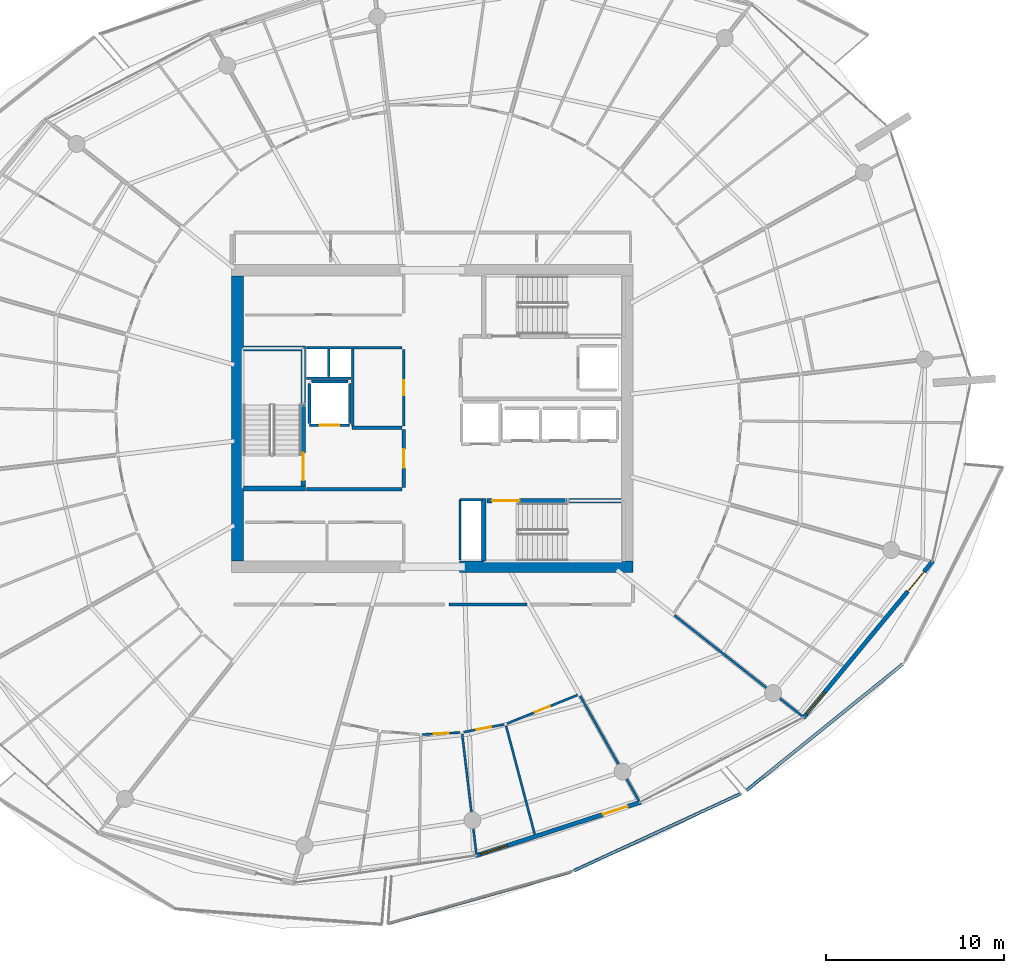
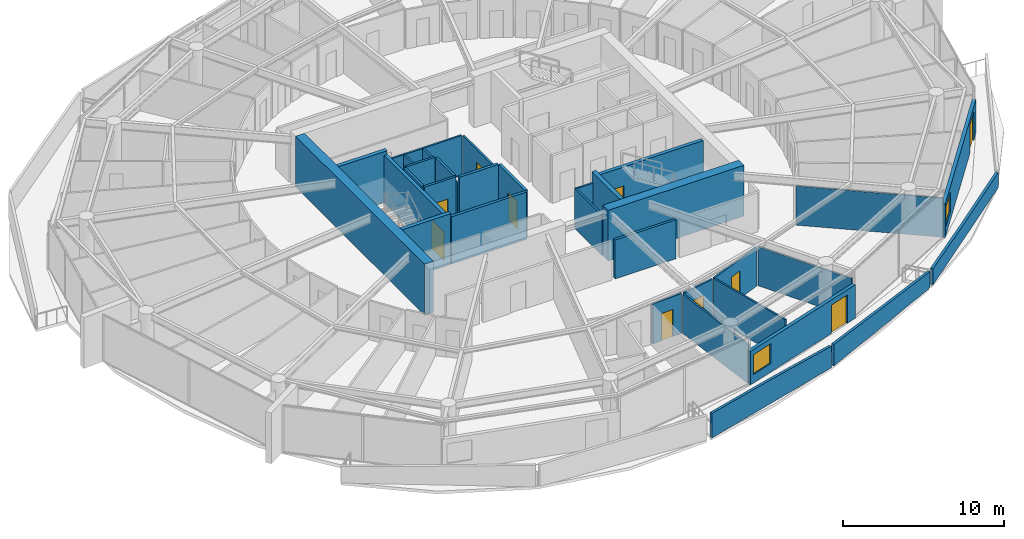
# One storey, part 19 of 30: 34 walls, 10 doors, 2 windows, 12 openings.
"""IFC4 building model written with IfcOpenShell, lengths in metres."""

import ifcopenshell
import ifcopenshell.guid

model = None  # the IFC model being written
_history = None  # IfcOwnerHistory: only IFC2X3 demands one
_inside = {}  # id of a spatial element -> (the spatial element, [elements in it])
_under = {}  # id of a project, library or spatial element -> (it, [spatial elements below it])
_declared = {}  # id of a project -> (the project, [libraries it declares])
_typed = {}  # id of a type object -> (the type object, [elements of that type])
_made_of = {}  # id of a material, layer set ... -> (it, [elements and type objects made of it])


def new_model(schema):
    """Start an empty IFC model of exactly this schema.

    Asked for "IFC4X3", IfcOpenShell would pick the latest addendum, in which some entities
    have other attributes; the version numbers below select the first issue.
    IFC2X3 requires an IfcOwnerHistory on every rooted entity: one is made here for all.
    """
    global model, _history
    if schema == "IFC4X3":
        model = ifcopenshell.file(schema_version=(4, 3, 0, 0))
    else:
        model = ifcopenshell.file(schema=schema)
    _inside.clear()
    _under.clear()
    _declared.clear()
    _typed.clear()
    _made_of.clear()
    _history = None
    if model.schema == "IFC2X3":
        org = make("IfcOrganization", Name="unknown")
        user = make(
            "IfcPersonAndOrganization",
            ThePerson=make("IfcPerson", FamilyName="unknown"),
            TheOrganization=org,
        )
        app = make(
            "IfcApplication",
            ApplicationDeveloper=org,
            Version="unknown",
            ApplicationFullName="unknown",
            ApplicationIdentifier="unknown",
        )
        _history = make(
            "IfcOwnerHistory",
            OwningUser=user,
            OwningApplication=app,
            ChangeAction="ADDED",
            CreationDate=0,
        )
    return model


def make(cls, **values):
    """One entity of the class cls with the attributes given. An attribute that is None is left unset."""
    return model.create_entity(
        cls, **{name: value for name, value in values.items() if value is not None}
    )


def rooted(cls, **values):
    """An entity with a GlobalId (a new one), such as an element, a storey or a relation."""
    return make(cls, GlobalId=ifcopenshell.guid.new(), OwnerHistory=_history, **values)


def si_unit(unit_type, name, prefix=None):
    """IfcSIUnit, for example si_unit("LENGTHUNIT", "METRE", prefix="MILLI")."""
    return make("IfcSIUnit", UnitType=unit_type, Prefix=prefix, Name=name)


def assignment(units):
    """IfcUnitAssignment: the units of a project."""
    return None if units is None else make("IfcUnitAssignment", Units=units)


def point(xyz):
    """IfcCartesianPoint."""
    return None if xyz is None else make("IfcCartesianPoint", Coordinates=xyz)


def direction(xyz):
    """IfcDirection."""
    return None if xyz is None else make("IfcDirection", DirectionRatios=xyz)


def frame(location, z_axis=None, x_axis=None):
    """IfcAxis2Placement3D, a coordinate frame: its origin and axes. An axis left out is left unset."""
    return make(
        "IfcAxis2Placement3D",
        Location=point(location),
        Axis=direction(z_axis),
        RefDirection=direction(x_axis),
    )


def frame_2d(location, x_axis=None):
    """IfcAxis2Placement2D, a coordinate frame in the plane: its origin and x axis."""
    return make(
        "IfcAxis2Placement2D", Location=point(location), RefDirection=direction(x_axis)
    )


def origin():
    """The frame at (0, 0, 0) with its axes left unset."""
    return frame((0.0, 0.0, 0.0))


def place(relative_to, where):
    """IfcLocalPlacement: puts the frame where relative to a parent placement (None: the world)."""
    return make(
        "IfcLocalPlacement", PlacementRelTo=relative_to, RelativePlacement=where
    )


def context(
    kind, dimensions, precision=None, world=None, true_north=None, identifier=None
):
    """IfcGeometricRepresentationContext, for example the 3D "Model" context."""
    return make(
        "IfcGeometricRepresentationContext",
        ContextIdentifier=identifier,
        ContextType=kind,
        CoordinateSpaceDimension=dimensions,
        Precision=precision,
        WorldCoordinateSystem=world,
        TrueNorth=true_north,
    )


def subcontext(parent, identifier, kind, view, scale=None):
    """IfcGeometricRepresentationSubContext, for example "Body" below "Model"."""
    return make(
        "IfcGeometricRepresentationSubContext",
        ContextIdentifier=identifier,
        ContextType=kind,
        ParentContext=parent,
        TargetScale=scale,
        TargetView=view,
    )


def project(units=None, contexts=None):
    """IfcProject with its units and contexts."""
    return rooted(
        "IfcProject",
        Name="project",
        RepresentationContexts=contexts,
        UnitsInContext=assignment(units),
    )


def spatial(cls, under=None, at=None, **own):
    """A site, building, storey or space (cls), placed at a placement, below another one or the project."""
    s = rooted(cls, ObjectPlacement=at, **own)
    if under is not None:
        _under.setdefault(under.id(), (under, []))[1].append(s)
    return s


def polyline(points):
    """IfcPolyline through the points."""
    return make("IfcPolyline", Points=[point(p) for p in points])


def profile(cls, at=None, kind="AREA", **sizes):
    """A parametric profile (cls). Its sizes go by their IFC names, for example OverallWidth=200.0."""
    return make(cls, ProfileType=kind, Position=at, **sizes)


def rectangle(**sizes):
    """IfcRectangleProfileDef."""
    return profile("IfcRectangleProfileDef", **sizes)


def outline(outer, holes=None, kind="AREA"):
    """IfcArbitraryClosedProfileDef: a profile drawn as a closed curve; with holes, ...WithVoids."""
    if holes is None:
        return make("IfcArbitraryClosedProfileDef", ProfileType=kind, OuterCurve=outer)
    return make(
        "IfcArbitraryProfileDefWithVoids",
        ProfileType=kind,
        OuterCurve=outer,
        InnerCurves=holes,
    )


def extrude(swept, where, along, depth):
    """IfcExtrudedAreaSolid: the profile swept, set in the frame where, extruded along a direction by depth."""
    return make(
        "IfcExtrudedAreaSolid",
        SweptArea=swept,
        Position=where,
        ExtrudedDirection=direction(along),
        Depth=depth,
    )


def shape(context_of_items, identifier, shape_type, items):
    """IfcShapeRepresentation: the items that make up one representation, for example the "Body"."""
    return make(
        "IfcShapeRepresentation",
        ContextOfItems=context_of_items,
        RepresentationIdentifier=identifier,
        RepresentationType=shape_type,
        Items=items,
    )


def material(Name=None, Category=None):
    """IfcMaterial."""
    return make("IfcMaterial", Name=Name, Category=Category)


def layer(
    of_material, thickness, ventilated=None, Name=None, Category=None, Priority=None
):
    """IfcMaterialLayer: one layer of a wall or slab, of a material (None: an air gap)."""
    return make(
        "IfcMaterialLayer",
        Material=of_material,
        LayerThickness=thickness,
        IsVentilated=ventilated,
        Name=Name,
        Category=Category,
        Priority=Priority,
    )


def layer_set(layers, Name=None):
    """IfcMaterialLayerSet."""
    return make("IfcMaterialLayerSet", MaterialLayers=layers, LayerSetName=Name)


def made_of(thing, what):
    """Note that an element or type object is made of a material, layer set ...; save() writes the relation."""
    if what is not None:
        _made_of.setdefault(what.id(), (what, []))[1].append(thing)
    return thing


def type_object(cls, material=None, **own):
    """A type object (cls), such as IfcWallType, which elements share."""
    return made_of(rooted(cls, **own), material)


def element(
    cls,
    number,
    at=None,
    inside=None,
    cuts=None,
    type_object=None,
    material=None,
    context=None,
    identifier="Body",
    shape_type=None,
    held_by="IfcProductDefinitionShape",
    body=None,
    shapes=None,
    **own,
):
    """One element of the class cls, such as IfcWall. Its Tag is "e" and its number.

    at: its placement. inside: the storey or other place that contains it. cuts: it is an
    opening in that element (IfcRelVoidsElement). A single representation is given by context,
    identifier, shape_type and body (its items); several are given by shapes. held_by: the class
    of the entity that holds the representations. save() writes the other relations.
    """
    e = rooted(cls, Tag="e%d" % number, ObjectPlacement=at, **own)
    if body is not None:
        shapes = [shape(context, identifier, shape_type, body)]
    if shapes is not None:
        e.Representation = make(held_by, Representations=shapes)
    if inside is not None:
        _inside.setdefault(inside.id(), (inside, []))[1].append(e)
    if cuts is not None:
        rooted(
            "IfcRelVoidsElement", RelatingBuildingElement=cuts, RelatedOpeningElement=e
        )
    if type_object is not None:
        _typed.setdefault(type_object.id(), (type_object, []))[1].append(e)
    return made_of(e, material)


def fill(opening, filler):
    """IfcRelFillsElement: the door or window that sits in an opening."""
    return rooted(
        "IfcRelFillsElement",
        RelatingOpeningElement=opening,
        RelatedBuildingElement=filler,
    )


def aggregate(whole, parts):
    """IfcRelAggregates: a whole, such as a stair, and the parts it consists of."""
    return rooted("IfcRelAggregates", RelatingObject=whole, RelatedObjects=parts)


def save(model, path):
    """Write the relations noted so far, then the file.

    IfcRelAggregates (storeys below a building ...), IfcRelContainedInSpatialStructure (elements
    in a storey), IfcRelDefinesByType, IfcRelAssociatesMaterial and IfcRelDeclares: one each for
    every whole, place, type object, material and project.
    """
    for whole, parts in _under.values():
        aggregate(whole, parts)
    for where, things in _inside.values():
        rooted(
            "IfcRelContainedInSpatialStructure",
            RelatedElements=things,
            RelatingStructure=where,
        )
    for kind, things in _typed.values():
        rooted("IfcRelDefinesByType", RelatedObjects=things, RelatingType=kind)
    for what, things in _made_of.values():
        rooted("IfcRelAssociatesMaterial", RelatedObjects=things, RelatingMaterial=what)
    for by, libraries in _declared.values():
        rooted("IfcRelDeclares", RelatingContext=by, RelatedDefinitions=libraries)
    model.write(path)


model = new_model("IFC4")

# Units and contexts
model_context = context("Model", 3, precision=1e-05, world=origin(), true_north=direction((0.0, 1.0)))
body_context = subcontext(model_context, "Body", "Model", "MODEL_VIEW")
ifc_project = project(units=[si_unit("LENGTHUNIT", "METRE"), si_unit("AREAUNIT", "SQUARE_METRE"), si_unit("VOLUMEUNIT", "CUBIC_METRE"), si_unit("PLANEANGLEUNIT", "RADIAN"), si_unit("MASSUNIT", "GRAM", prefix="KILO")], contexts=[model_context])

# Site, building, storey
site_placement = place(None, origin())
site = spatial("IfcSite", under=ifc_project, at=site_placement, CompositionType="ELEMENT")
building_placement = place(site_placement, origin())
building = spatial("IfcBuilding", under=site, at=building_placement, Name="Kazma Halo Residences", CompositionType="ELEMENT")
storey_placement = place(building_placement, frame((0.0, 0.0, 267.5)))
storey = spatial("IfcBuildingStorey", under=building, at=storey_placement, Name="L67", CompositionType="ELEMENT", Elevation=267.5)

# Walls
ifc_material_1 = material(Name="White Concrete C50/60 Balustrade", Category="concrete")
ifc_layer_1 = layer(ifc_material_1, 0.179931640625)
ifc_layer_set_1 = layer_set([ifc_layer_1], Name="White Concrete C50/60 Balustrade")
wall_type_1 = type_object("IfcWallType", Name="WL-BAL-WAVE-180", PredefinedType="PARAPET", material=ifc_layer_set_1)
wall_1_placement = place(storey_placement, frame((45.94189453125, 13.635498046875, 0.0), z_axis=(0.0, 0.0, 1.0), x_axis=(0.962462930889, 0.271413165976, 0.0)))
element("IfcWall", 1, at=wall_1_placement, inside=storey, type_object=wall_type_1, Name="L67 white wave balustrade wall SSE.1", PredefinedType="PARAPET", context=body_context, shape_type="SweptSolid", body=[
    extrude(outline(polyline([(0.0, 0.0), (10.610595703125, 0.0), (10.610595703125, 1.632080078125), (5.305419921875, 1.798095703125), (0.0, 1.860107421875), (0.0, 0.0)])), frame((0.0, 0.08984375, 0.0), z_axis=(0.0, -1.0, 0.0), x_axis=(1.0, 0.0, 0.0)), (0.0, 0.0, 1.0), 0.179931640625),
])
wall_2_placement = place(storey_placement, frame((56.378662109375, 16.598388671875, 0.0), z_axis=(0.0, 0.0, 1.0), x_axis=(0.907848132744, 0.419299138888, 0.0)))
element("IfcWall", 2, at=wall_2_placement, inside=storey, type_object=wall_type_1, Name="L67 white wave balustrade wall SSE.2", PredefinedType="PARAPET", context=body_context, shape_type="SweptSolid", body=[
    extrude(outline(polyline([(0.0, 0.0), (10.34375, 0.0), (10.34375, 1.23291015625), (5.171875, 1.41796875), (0.0, 1.632080078125), (0.0, 0.0)])), frame((0.0, 0.08984375, 0.0), z_axis=(0.0, -1.0, 0.0), x_axis=(1.0, 0.0, 0.0)), (0.0, 0.0, 1.0), 0.179931640625),
])
wall_3_placement = place(storey_placement, frame((66.0673828125, 21.10546875, 0.0), z_axis=(0.0, 0.0, 1.0), x_axis=(0.777688536298, 0.628649775718, 0.0)))
element("IfcWall", 3, at=wall_3_placement, inside=storey, type_object=wall_type_1, Name="L67 white wave balustrade wall SE.1", PredefinedType="PARAPET", context=body_context, shape_type="SweptSolid", body=[
    extrude(outline(polyline([(0.0, 0.0), (11.284912109375, 0.0), (11.28466796875, 1.14794921875), (5.642333984375, 1.126953125), (0.0, 1.22412109375), (0.0, 0.0)])), frame((0.0, 0.08984375, 0.0), z_axis=(0.0, -1.0, 0.0), x_axis=(1.0, 0.0, 0.0)), (0.0, 0.0, 1.0), 0.179931640625),
])
ifc_material_2 = material(Name="Concrete C60/75", Category="concrete")
ifc_layer_2 = layer(ifc_material_2, 0.64990234375)
ifc_layer_set_2 = layer_set([ifc_layer_2], Name="Concrete C60/75")
wall_type_2 = type_object("IfcWallType", Name="WL-CORE-650", PredefinedType="SHEAR", material=ifc_layer_set_2)
wall_4_placement = place(storey_placement, frame((49.949951171875, 33.675048828125, 0.0), z_axis=(0.0, 0.0, 1.0), x_axis=(1.0, 0.0, 0.0)))
element("IfcWall", 4, at=wall_4_placement, inside=storey, type_object=wall_type_2, Name="L67 central core shear wall SE", PredefinedType="SHEAR", context=body_context, shape_type="SweptSolid", body=[
    extrude(rectangle(XDim=9.75, YDim=0.64990234375, at=frame_2d((4.875, 0.0))), origin(), (0.0, 0.0, 1.0), 3.85009765625),
])
wall_5_placement = place(storey_placement, frame((37.47509765625, 34.0, 0.0), z_axis=(0.0, 0.0, 1.0), x_axis=(0.0, 1.0, 0.0)))
element("IfcWall", 5, at=wall_5_placement, inside=storey, type_object=wall_type_2, Name="L67 central core shear wall W", PredefinedType="SHEAR", context=body_context, shape_type="SweptSolid", body=[
    extrude(rectangle(XDim=16.0, YDim=0.64990234375, at=frame_2d((8.0, 0.0))), origin(), (0.0, 0.0, 1.0), 3.85009765625),
])
ifc_layer_3 = layer(ifc_material_2, 0.280029296875)
ifc_layer_set_3 = layer_set([ifc_layer_3], Name="Concrete C60/75")
wall_type_3 = type_object("IfcWallType", Name="WL-CORE-ST-280", PredefinedType="SHEAR", material=ifc_layer_set_3)
for number, where, z_axis, x_axis, name in (
    (6, (37.800048828125, 38.06005859375, 0.0), (0.0, 0.0, 1.0), (1.0, 0.0, 0.0), "L67 stairwell bearing wall ST01-S"),
    (7, (37.800048828125, 45.93994140625, 0.0), (0.0, 0.0, 1.0), (1.0, 0.0, 0.0), "L67 stairwell bearing wall ST01-N"),
    (8, (51.31005859375, 34.0, 0.0), (0.0, 0.0, 1.0), (0.0, 1.0, 0.0), "L67 stairwell bearing wall ST03-W"),
):
    element("IfcWall", number, at=place(storey_placement, frame(where, z_axis=z_axis, x_axis=x_axis)), inside=storey, type_object=wall_type_3, Name=name, PredefinedType="SHEAR", context=body_context, shape_type="SweptSolid", body=[
        extrude(rectangle(XDim=3.5, YDim=0.280029296875, at=frame_2d((1.75, 0.0))), origin(), (0.0, 0.0, 1.0), 3.85009765625),
    ])
ifc_material_3 = material(Name="Acoustic Twin-Stud Gypsum")
ifc_layer_4 = layer(ifc_material_3, 0.179931640625)
ifc_layer_set_4 = layer_set([ifc_layer_4], Name="Acoustic Twin-Stud Gypsum")
wall_type_4 = type_object("IfcWallType", Name="WL-DEM-180", PredefinedType="PARTITIONING", material=ifc_layer_set_4)
wall_6_placement = place(storey_placement, frame((49.356689453125, 31.550048828125, 0.0), z_axis=(0.0, 0.0, 1.0), x_axis=(1.0, 0.0, 0.0)))
element("IfcWall", 9, at=wall_6_placement, inside=storey, type_object=wall_type_4, Name="L67 Apartment 2 inner wall 11", PredefinedType="PARTITIONING", context=body_context, shape_type="SweptSolid", body=[
    extrude(rectangle(XDim=4.375732421875, YDim=0.179931640625, at=frame_2d((2.18798828125, 0.0))), origin(), (0.0, 0.0, 1.0), 2.95703125),
])

# Wall, openings, door, window
ifc_material_4 = material(Name="Insulated Pale-Metal Composite Wall")
ifc_layer_5 = layer(ifc_material_4, 0.239990234375)
ifc_layer_set_5 = layer_set([ifc_layer_5], Name="Insulated Pale-Metal Composite Wall")
wall_type_5 = type_object("IfcWallType", Name="WL-EXT-HOST-240", PredefinedType="SOLIDWALL", material=ifc_layer_set_5)
wall_7_placement = place(storey_placement, frame((50.85791015625, 17.436279296875, 0.0), z_axis=(0.0, 0.0, 1.0), x_axis=(0.951055974609, 0.309018661507, 0.0)))
wall_7 = element("IfcWall", 10, at=wall_7_placement, inside=storey, type_object=wall_type_5, Name="L67 exterior terrace-access wall B12", PredefinedType="SOLIDWALL", context=body_context, shape_type="SweptSolid", body=[
    extrude(rectangle(XDim=9.745361328125, YDim=0.239990234375, at=frame_2d((4.87255859375, 0.0))), origin(), (0.0, 0.0, 1.0), 2.5400390625),
])
opening_1_placement = place(wall_7_placement, frame((7.525390625, 0.0, 0.0)))
opening_1 = element("IfcOpeningElement", 11, at=opening_1_placement, cuts=wall_7, Name="Opening DTR-1600", PredefinedType="OPENING", context=body_context, shape_type="SweptSolid", body=[
    extrude(rectangle(XDim=1.449951171875, YDim=2.14990234375, at=frame_2d((0.72509765625, 1.074951171875))), frame((0.0, 0.1298828125, 0.0), z_axis=(0.0, -1.0, 0.0), x_axis=(1.0, 0.0, 0.0)), (0.0, 0.0, 1.0), 0.260009765625),
])
opening_2_placement = place(wall_7_placement, frame((0.280029296875, 0.0, 0.64990234375)))
opening_2 = element("IfcOpeningElement", 12, at=opening_2_placement, cuts=wall_7, Name="Opening W-1800", PredefinedType="OPENING", context=body_context, shape_type="SweptSolid", body=[
    extrude(rectangle(XDim=1.60009765625, YDim=1.5, at=frame_2d((0.800048828125, 0.75))), frame((0.0, 0.1298828125, 0.0), z_axis=(0.0, -1.0, 0.0), x_axis=(1.0, 0.0, 0.0)), (0.0, 0.0, 1.0), 0.260009765625),
])
ifc_material_5 = material(Name="Aluminium AW-6063 T6 Double-Glazed Terrace Door", Category="aluminium")
door_type_1 = type_object("IfcDoorType", Name="DR-EXT-TERR-1600", OperationType="NOTDEFINED", PredefinedType="DOOR", material=ifc_material_5)
door_1_placement = place(opening_1_placement, origin())
door_1 = element("IfcDoor", 13, at=door_1_placement, inside=storey, type_object=door_type_1, Name="L67 B12 balcony terrace door", OperationType="DOUBLE_DOOR_SLIDING", OverallHeight=2.14990234375, OverallWidth=1.449951171875, PredefinedType="DOOR", context=body_context, shape_type="SweptSolid", body=[
    extrude(rectangle(XDim=1.449951171875, YDim=2.14990234375, at=frame_2d((0.72509765625, 1.074951171875))), frame((0.0, 0.02490234375, 0.0), z_axis=(0.0, -1.0, 0.0), x_axis=(1.0, 0.0, 0.0)), (0.0, 0.0, 1.0), 0.050048828125),
])
fill(opening_1, door_1)
ifc_material_6 = material(Name="Clear Triple-Silver Low-E Glass in Aluminium AW-6063 T6 Frame", Category="aluminium")
window_type = type_object("IfcWindowType", Name="WIN-RES-1800", PartitioningType="DOUBLE_PANEL_VERTICAL", PredefinedType="WINDOW", material=ifc_material_6)
window_1_placement = place(opening_2_placement, origin())
window_1 = element("IfcWindow", 14, at=window_1_placement, inside=storey, type_object=window_type, Name="L67 B12 apartment window", OverallHeight=1.5, OverallWidth=1.60009765625, PartitioningType="SINGLE_PANEL", PredefinedType="WINDOW", context=body_context, shape_type="SweptSolid", body=[
    extrude(rectangle(XDim=1.60009765625, YDim=1.5, at=frame_2d((0.800048828125, 0.75))), frame((0.0, 0.030029296875, 0.0), z_axis=(0.0, -1.0, 0.0), x_axis=(1.0, 0.0, 0.0)), (0.0, 0.0, 1.0), 0.06005859375),
])
fill(opening_2, window_1)

wall_8_placement = place(storey_placement, frame((69.2578125, 25.177978515625, 0.0), z_axis=(0.0, 0.0, 1.0), x_axis=(0.636680093065, 0.771128043255, 0.0)))
wall_8 = element("IfcWall", 15, at=wall_8_placement, inside=storey, type_object=wall_type_5, Name="L67 exterior terrace-access wall B14", PredefinedType="SOLIDWALL", context=body_context, shape_type="SweptSolid", body=[
    extrude(rectangle(XDim=11.438232421875, YDim=0.239990234375, at=frame_2d((5.71923828125, 0.0))), origin(), (0.0, 0.0, 1.0), 2.5400390625),
])
opening_3_placement = place(wall_8_placement, frame((9.21826171875, 0.0, 0.0)))
opening_3 = element("IfcOpeningElement", 16, at=opening_3_placement, cuts=wall_8, Name="Opening DTR-1600", PredefinedType="OPENING", context=body_context, shape_type="SweptSolid", body=[
    extrude(rectangle(XDim=1.449951171875, YDim=2.14990234375, at=frame_2d((0.72509765625, 1.074951171875))), frame((0.0, 0.1298828125, 0.0), z_axis=(0.0, -1.0, 0.0), x_axis=(1.0, 0.0, 0.0)), (0.0, 0.0, 1.0), 0.260009765625),
])
opening_4_placement = place(wall_8_placement, frame((0.280029296875, 0.0, 0.64990234375)))
opening_4 = element("IfcOpeningElement", 17, at=opening_4_placement, cuts=wall_8, Name="Opening W-1800", PredefinedType="OPENING", context=body_context, shape_type="SweptSolid", body=[
    extrude(rectangle(XDim=1.60009765625, YDim=1.5, at=frame_2d((0.800048828125, 0.75))), frame((0.0, 0.1298828125, 0.0), z_axis=(0.0, -1.0, 0.0), x_axis=(1.0, 0.0, 0.0)), (0.0, 0.0, 1.0), 0.260009765625),
])
door_2_placement = place(opening_3_placement, origin())
door_2 = element("IfcDoor", 18, at=door_2_placement, inside=storey, type_object=door_type_1, Name="L67 B14 balcony terrace door", OperationType="DOUBLE_DOOR_SLIDING", OverallHeight=2.14990234375, OverallWidth=1.449951171875, PredefinedType="DOOR", context=body_context, shape_type="SweptSolid", body=[
    extrude(rectangle(XDim=1.449951171875, YDim=2.14990234375, at=frame_2d((0.72509765625, 1.074951171875))), frame((0.0, 0.02490234375, 0.0), z_axis=(0.0, -1.0, 0.0), x_axis=(1.0, 0.0, 0.0)), (0.0, 0.0, 1.0), 0.050048828125),
])
fill(opening_3, door_2)
window_2_placement = place(opening_4_placement, origin())
window_2 = element("IfcWindow", 19, at=window_2_placement, inside=storey, type_object=window_type, Name="L67 B14 apartment window", OverallHeight=1.5, OverallWidth=1.60009765625, PartitioningType="SINGLE_PANEL", PredefinedType="WINDOW", context=body_context, shape_type="SweptSolid", body=[
    extrude(rectangle(XDim=1.60009765625, YDim=1.5, at=frame_2d((0.800048828125, 0.75))), frame((0.0, 0.030029296875, 0.0), z_axis=(0.0, -1.0, 0.0), x_axis=(1.0, 0.0, 0.0)), (0.0, 0.0, 1.0), 0.06005859375),
])
fill(opening_4, window_2)

# Wall, opening, door
ifc_material_7 = material(Name="Fire-Rated Blockwork Masonry", Category="masonry")
ifc_layer_6 = layer(ifc_material_7, 0.199951171875)
ifc_layer_set_6 = layer_set([ifc_layer_6], Name="Fire-Rated Blockwork Masonry")
wall_type_6 = type_object("IfcWallType", Name="WL-FLB-200", PredefinedType="PARTITIONING", material=ifc_layer_set_6)
wall_9_placement = place(storey_placement, frame((43.780029296875, 41.6201171875, 0.0), z_axis=(0.0, 0.0, 1.0), x_axis=(-1.0, 0.0, 0.0)))
wall_9 = element("IfcWall", 20, at=wall_9_placement, inside=storey, type_object=wall_type_6, Name="L67 lift shaft FL-01 front wall", PredefinedType="PARTITIONING", context=body_context, shape_type="SweptSolid", body=[
    extrude(rectangle(XDim=2.260009765625, YDim=0.159912109375, at=frame_2d((1.1298828125, 0.0))), origin(), (0.0, 0.0, 1.0), 3.590087890625),
])
opening_5_placement = place(wall_9_placement, frame((0.580078125, 0.0, 0.0)))
opening_5 = element("IfcOpeningElement", 21, at=opening_5_placement, cuts=wall_9, Name="Opening LD-FL-01", PredefinedType="OPENING", context=body_context, shape_type="SweptSolid", body=[
    extrude(rectangle(XDim=1.10009765625, YDim=2.10009765625, at=frame_2d((0.550048828125, 1.050048828125))), frame((0.0, 0.08984375, 0.0), z_axis=(0.0, -1.0, 0.0), x_axis=(1.0, 0.0, 0.0)), (0.0, 0.0, 1.0), 0.179931640625),
])
ifc_material_8 = material(Name="Stainless Steel Fire-Rated", Category="steel")
door_type_2 = type_object("IfcDoorType", Name="DR-LIFT-SLD-1100", OperationType="DOUBLE_DOOR_SLIDING", PredefinedType="DOOR", material=ifc_material_8)
door_3_placement = place(opening_5_placement, origin())
door_3 = element("IfcDoor", 22, at=door_3_placement, inside=storey, type_object=door_type_2, Name="L67 lift FL-01 sliding landing door", OperationType="DOUBLE_DOOR_SLIDING", OverallHeight=2.10009765625, OverallWidth=1.10009765625, PredefinedType="DOOR", context=body_context, shape_type="SweptSolid", body=[
    extrude(rectangle(XDim=1.10009765625, YDim=2.10009765625, at=frame_2d((0.550048828125, 1.050048828125))), frame((0.0, 0.02490234375, 0.0), z_axis=(0.0, -1.0, 0.0), x_axis=(1.0, 0.0, 0.0)), (0.0, 0.0, 1.0), 0.050048828125),
])
fill(opening_5, door_3)

# Walls
for number, where, z_axis, x_axis, name in (
    (23, (43.780029296875, 41.719970703125, 0.0), (0.0, 0.0, 1.0), (0.0, 1.0, 0.0), "L67 lift shaft FL-01 side wall E"),
    (24, (41.52001953125, 41.719970703125, 0.0), (0.0, 0.0, 1.0), (0.0, 1.0, 0.0), "L67 lift shaft FL-01 side wall W"),
):
    element("IfcWall", number, at=place(storey_placement, frame(where, z_axis=z_axis, x_axis=x_axis)), inside=storey, type_object=wall_type_6, Name=name, PredefinedType="PARTITIONING", context=body_context, shape_type="SweptSolid", body=[
        extrude(rectangle(XDim=2.260009765625, YDim=0.159912109375, at=frame_2d((1.1298828125, 0.0))), origin(), (0.0, 0.0, 1.0), 3.590087890625),
    ])
wall_10_placement = place(storey_placement, frame((41.6201171875, 44.080078125, 0.0), z_axis=(0.0, 0.0, 1.0), x_axis=(1.0, 0.0, 0.0)))
element("IfcWall", 25, at=wall_10_placement, inside=storey, type_object=wall_type_6, Name="L67 lift shaft FL-01 side wall N", PredefinedType="PARTITIONING", context=body_context, shape_type="SweptSolid", body=[
    extrude(rectangle(XDim=2.059814453125, YDim=0.159912109375, at=frame_2d((1.02978515625, 0.0))), origin(), (0.0, 0.0, 1.0), 3.590087890625),
])
wall_11_placement = place(storey_placement, frame((41.35009765625, 38.02001953125, 0.0), z_axis=(0.0, 0.0, 1.0), x_axis=(1.0, 0.0, 0.0)))
element("IfcWall", 26, at=wall_11_placement, inside=storey, type_object=wall_type_6, Name="L67 west firefighting lobby south smoke wall", PredefinedType="PARTITIONING", context=body_context, shape_type="SweptSolid", body=[
    extrude(rectangle(XDim=5.369873046875, YDim=0.199951171875, at=frame_2d((2.68505859375, 0.0))), origin(), (0.0, 0.0, 1.0), 3.590087890625),
])
wall_12_placement = place(storey_placement, frame((43.919921875, 41.47998046875, 0.0), z_axis=(0.0, 0.0, 1.0), x_axis=(1.0, 0.0, 0.0)))
element("IfcWall", 27, at=wall_12_placement, inside=storey, type_object=wall_type_6, Name="L67 west firefighting lobby north smoke wall", PredefinedType="PARTITIONING", context=body_context, shape_type="SweptSolid", body=[
    extrude(rectangle(XDim=2.800048828125, YDim=0.199951171875, at=frame_2d((1.39990234375, 0.0))), origin(), (0.0, 0.0, 1.0), 3.590087890625),
])

# Wall, opening, door
wall_13_placement = place(storey_placement, frame((46.820068359375, 38.1201171875, 0.0), z_axis=(0.0, 0.0, 1.0), x_axis=(0.0, 1.0, 0.0)))
wall_13 = element("IfcWall", 28, at=wall_13_placement, inside=storey, type_object=wall_type_6, Name="L67 west firefighting lobby smoke wall", PredefinedType="PARTITIONING", context=body_context, shape_type="SweptSolid", body=[
    extrude(rectangle(XDim=3.259765625, YDim=0.199951171875, at=frame_2d((1.6298828125, 0.0))), origin(), (0.0, 0.0, 1.0), 3.590087890625),
])
opening_6_placement = place(wall_13_placement, frame((1.10498046875, 0.0, 0.0)))
opening_6 = element("IfcOpeningElement", 29, at=opening_6_placement, cuts=wall_13, Name="Opening D-FLW", PredefinedType="OPENING", context=body_context, shape_type="SweptSolid", body=[
    extrude(rectangle(XDim=1.050048828125, YDim=2.10009765625, at=frame_2d((0.52490234375, 1.050048828125))), frame((0.0, 0.10986328125, 0.0), z_axis=(0.0, -1.0, 0.0), x_axis=(1.0, 0.0, 0.0)), (0.0, 0.0, 1.0), 0.219970703125),
])
ifc_material_9 = material(Name="Fire-Rated Steel Leaf", Category="steel")
door_type_3 = type_object("IfcDoorType", Name="DR-FD90-1050", OperationType="NOTDEFINED", PredefinedType="DOOR", material=ifc_material_9)
door_4_placement = place(opening_6_placement, origin())
door_4 = element("IfcDoor", 30, at=door_4_placement, inside=storey, type_object=door_type_3, Name="L67 west firefighting lobby smoke door", OperationType="SINGLE_SWING_RIGHT", OverallHeight=2.10009765625, OverallWidth=1.050048828125, PredefinedType="DOOR", context=body_context, shape_type="SweptSolid", body=[
    extrude(rectangle(XDim=1.050048828125, YDim=2.10009765625, at=frame_2d((0.52490234375, 1.050048828125))), frame((0.0, 0.02490234375, 0.0), z_axis=(0.0, -1.0, 0.0), x_axis=(1.0, 0.0, 0.0)), (0.0, 0.0, 1.0), 0.050048828125),
])
fill(opening_6, door_4)

# Walls
ifc_material_10 = material(Name="Gypsum Plasterboard Partition")
ifc_layer_7 = layer(ifc_material_10, 0.125)
ifc_layer_set_7 = layer_set([ifc_layer_7], Name="Gypsum Plasterboard Partition")
wall_type_7 = type_object("IfcWallType", Name="WL-PART-125", PredefinedType="PARTITIONING", material=ifc_layer_set_7)
wall_14_placement = place(storey_placement, frame((41.360107421875, 45.97998046875, 0.0), z_axis=(0.0, 0.0, 1.0), x_axis=(1.0, 0.0, 0.0)))
element("IfcWall", 31, at=wall_14_placement, inside=storey, type_object=wall_type_7, Name="L67 core north riser wall", PredefinedType="PARTITIONING", context=body_context, shape_type="SweptSolid", body=[
    extrude(rectangle(XDim=5.35986328125, YDim=0.125, at=frame_2d((2.679931640625, 0.0))), origin(), (0.0, 0.0, 1.0), 3.030029296875),
])
wall_15_placement = place(storey_placement, frame((41.360107421875, 44.260009765625, 0.0), z_axis=(0.0, 0.0, 1.0), x_axis=(1.0, 0.0, 0.0)))
element("IfcWall", 32, at=wall_15_placement, inside=storey, type_object=wall_type_7, Name="L67 core riser south wall", PredefinedType="PARTITIONING", context=body_context, shape_type="SweptSolid", body=[
    extrude(rectangle(XDim=2.5, YDim=0.125, at=frame_2d((1.25, 0.0))), origin(), (0.0, 0.0, 1.0), 3.030029296875),
])
wall_16_placement = place(storey_placement, frame((42.60009765625, 44.35009765625, 0.0), z_axis=(0.0, 0.0, 1.0), x_axis=(0.0, 1.0, 0.0)))
element("IfcWall", 33, at=wall_16_placement, inside=storey, type_object=wall_type_7, Name="L67 core riser divider wall", PredefinedType="PARTITIONING", context=body_context, shape_type="SweptSolid", body=[
    extrude(rectangle(XDim=1.5498046875, YDim=0.125, at=frame_2d((0.77490234375, 0.0))), origin(), (0.0, 0.0, 1.0), 3.030029296875),
])
wall_17_placement = place(storey_placement, frame((49.97998046875, 34.06005859375, 0.0), z_axis=(0.0, 0.0, 1.0), x_axis=(0.0, 1.0, 0.0)))
element("IfcWall", 34, at=wall_17_placement, inside=storey, type_object=wall_type_7, Name="L67 standpipe riser wall", PredefinedType="PARTITIONING", context=body_context, shape_type="SweptSolid", body=[
    extrude(rectangle(XDim=3.39990234375, YDim=0.125, at=frame_2d((1.699951171875, 0.0))), origin(), (0.0, 0.0, 1.0), 3.030029296875),
])
wall_18_placement = place(storey_placement, frame((49.97998046875, 37.43994140625, 0.0), z_axis=(0.0, 0.0, 1.0), x_axis=(1.0, 0.0, 0.0)))
element("IfcWall", 35, at=wall_18_placement, inside=storey, type_object=wall_type_7, Name="L67 standpipe riser north wall", PredefinedType="PARTITIONING", context=body_context, shape_type="SweptSolid", body=[
    extrude(rectangle(XDim=1.260009765625, YDim=0.125, at=frame_2d((0.6298828125, 0.0))), origin(), (0.0, 0.0, 1.0), 3.030029296875),
])
wall_19_placement = place(storey_placement, frame((43.949951171875, 41.580078125, 0.0), z_axis=(0.0, 0.0, 1.0), x_axis=(0.0, 1.0, 0.0)))
element("IfcWall", 36, at=wall_19_placement, inside=storey, type_object=wall_type_7, Name="L67 core service west wall", PredefinedType="PARTITIONING", context=body_context, shape_type="SweptSolid", body=[
    extrude(rectangle(XDim=4.31982421875, YDim=0.125, at=frame_2d((2.159912109375, 0.0))), origin(), (0.0, 0.0, 1.0), 3.030029296875),
])

# Wall, opening, door
wall_20_placement = place(storey_placement, frame((46.820068359375, 41.580078125, 0.0), z_axis=(0.0, 0.0, 1.0), x_axis=(0.0, 1.0, 0.0)))
wall_20 = element("IfcWall", 37, at=wall_20_placement, inside=storey, type_object=wall_type_7, Name="L67 core service room east wall", PredefinedType="PARTITIONING", context=body_context, shape_type="SweptSolid", body=[
    extrude(rectangle(XDim=4.2998046875, YDim=0.125, at=frame_2d((2.14990234375, 0.0))), origin(), (0.0, 0.0, 1.0), 3.030029296875),
])
opening_7_placement = place(wall_20_placement, frame((1.72509765625, 0.0, 0.0)))
opening_7 = element("IfcOpeningElement", 38, at=opening_7_placement, cuts=wall_20, Name="Opening DS-850", PredefinedType="OPENING", context=body_context, shape_type="SweptSolid", body=[
    extrude(rectangle(XDim=0.85009765625, YDim=2.06005859375, at=frame_2d((0.425048828125, 1.030029296875))), frame((0.0, 0.072509765625, 0.0), z_axis=(0.0, -1.0, 0.0), x_axis=(1.0, 0.0, 0.0)), (0.0, 0.0, 1.0), 0.14501953125),
])
ifc_material_11 = material(Name="Painted Steel Access Leaf", Category="steel")
door_type_4 = type_object("IfcDoorType", Name="DR-SVC-850", OperationType="NOTDEFINED", PredefinedType="DOOR", material=ifc_material_11)
door_5_placement = place(opening_7_placement, origin())
door_5 = element("IfcDoor", 39, at=door_5_placement, inside=storey, type_object=door_type_4, Name="L67 core service room door", OperationType="SINGLE_SWING_RIGHT", OverallHeight=2.06005859375, OverallWidth=0.85009765625, PredefinedType="DOOR", context=body_context, shape_type="SweptSolid", body=[
    extrude(rectangle(XDim=0.85009765625, YDim=2.06005859375, at=frame_2d((0.425048828125, 1.030029296875))), frame((0.0, 0.02490234375, 0.0), z_axis=(0.0, -1.0, 0.0), x_axis=(1.0, 0.0, 0.0)), (0.0, 0.0, 1.0), 0.050048828125),
])
fill(opening_7, door_5)

wall_21_placement = place(storey_placement, frame((47.853271484375, 24.24853515625, 0.0), z_axis=(0.0, 0.0, 1.0), x_axis=(0.998618144909, 0.052552836822, 0.0)))
wall_21 = element("IfcWall", 40, at=wall_21_placement, inside=storey, type_object=wall_type_7, Name="L67 Apartment 2 Primary Bedroom hall wall", PredefinedType="PARTITIONING", context=body_context, shape_type="SweptSolid", body=[
    extrude(rectangle(XDim=2.136962890625, YDim=0.125, at=frame_2d((1.068359375, 0.0))), origin(), (0.0, 0.0, 1.0), 3.030029296875),
])
opening_8_placement = place(wall_21_placement, frame((0.643310546875, 0.0, 0.0)))
opening_8 = element("IfcOpeningElement", 41, at=opening_8_placement, cuts=wall_21, Name="Opening DB-900", PredefinedType="OPENING", context=body_context, shape_type="SweptSolid", body=[
    extrude(rectangle(XDim=0.85009765625, YDim=2.06005859375, at=frame_2d((0.425048828125, 1.030029296875))), frame((0.0, 0.072509765625, 0.0), z_axis=(0.0, -1.0, 0.0), x_axis=(1.0, 0.0, 0.0)), (0.0, 0.0, 1.0), 0.14501953125),
])
ifc_material_12 = material(Name="Moisture-Sealed Timber Leaf", Category="wood")
door_type_5 = type_object("IfcDoorType", Name="DR-BTH-900", OperationType="NOTDEFINED", PredefinedType="DOOR", material=ifc_material_12)
door_6_placement = place(opening_8_placement, origin())
door_6 = element("IfcDoor", 42, at=door_6_placement, inside=storey, type_object=door_type_5, Name="L67 Apartment 2 Primary Bedroom door", OperationType="SINGLE_SWING_LEFT", OverallHeight=2.06005859375, OverallWidth=0.85009765625, PredefinedType="DOOR", context=body_context, shape_type="SweptSolid", body=[
    extrude(rectangle(XDim=0.85009765625, YDim=2.06005859375, at=frame_2d((0.425048828125, 1.030029296875))), frame((0.0, 0.02490234375, 0.0), z_axis=(0.0, -1.0, 0.0), x_axis=(1.0, 0.0, 0.0)), (0.0, 0.0, 1.0), 0.050048828125),
])
fill(opening_8, door_6)

# Walls
wall_22_placement = place(storey_placement, frame((50.098876953125, 24.266845703125, 0.0), z_axis=(0.0, 0.0, 1.0), x_axis=(0.117541429875, -0.993067979679, 0.0)))
element("IfcWall", 43, at=wall_22_placement, inside=storey, type_object=wall_type_7, Name="L67 Apartment 2 radial partition 11", PredefinedType="PARTITIONING", context=body_context, shape_type="SweptSolid", body=[
    extrude(rectangle(XDim=6.837646484375, YDim=0.125, at=frame_2d((3.4189453125, 0.0))), origin(), (0.0, 0.0, 1.0), 2.95703125),
])
wall_23_placement = place(storey_placement, frame((56.725341796875, 26.419921875, 0.0), z_axis=(0.0, 0.0, 1.0), x_axis=(0.488624332812, -0.872494275846, 0.0)))
element("IfcWall", 44, at=wall_23_placement, inside=storey, type_object=wall_type_7, Name="L67 Apartment 2 living radial partition 11", PredefinedType="PARTITIONING", context=body_context, shape_type="SweptSolid", body=[
    extrude(rectangle(XDim=6.73779296875, YDim=0.125, at=frame_2d((3.368896484375, 0.0))), origin(), (0.0, 0.0, 1.0), 2.95703125),
])
wall_24_placement = place(storey_placement, frame((52.560302734375, 24.74560546875, 0.0), z_axis=(0.0, 0.0, 1.0), x_axis=(0.255531000294, -0.966800862582, 0.0)))
element("IfcWall", 45, at=wall_24_placement, inside=storey, type_object=wall_type_7, Name="L67 Apartment 2 mid-bay wall 11", PredefinedType="PARTITIONING", context=body_context, shape_type="SweptSolid", body=[
    extrude(rectangle(XDim=6.310546875, YDim=0.125, at=frame_2d((3.1552734375, 0.0))), origin(), (0.0, 0.0, 1.0), 3.030029296875),
])

# Wall, opening, door
wall_25_placement = place(storey_placement, frame((50.185302734375, 24.384765625, 0.0), z_axis=(0.0, 0.0, 1.0), x_axis=(0.982371792313, 0.186937587627, 0.0)))
wall_25 = element("IfcWall", 46, at=wall_25_placement, inside=storey, type_object=wall_type_7, Name="L67 Apartment 2 East Bedroom hall wall", PredefinedType="PARTITIONING", context=body_context, shape_type="SweptSolid", body=[
    extrude(rectangle(XDim=2.314208984375, YDim=0.125, at=frame_2d((1.1572265625, 0.0))), origin(), (0.0, 0.0, 1.0), 2.95703125),
])
opening_9_placement = place(wall_25_placement, frame((0.732177734375, 0.0, 0.0)))
opening_9 = element("IfcOpeningElement", 47, at=opening_9_placement, cuts=wall_25, Name="Opening DB-900", PredefinedType="OPENING", context=body_context, shape_type="SweptSolid", body=[
    extrude(rectangle(XDim=0.85009765625, YDim=2.06005859375, at=frame_2d((0.425048828125, 1.030029296875))), frame((0.0, 0.072509765625, 0.0), z_axis=(0.0, -1.0, 0.0), x_axis=(1.0, 0.0, 0.0)), (0.0, 0.0, 1.0), 0.14501953125),
])
door_7_placement = place(opening_9_placement, origin())
door_7 = element("IfcDoor", 48, at=door_7_placement, inside=storey, type_object=door_type_5, Name="L67 Apartment 2 East Bedroom door", OperationType="SINGLE_SWING_LEFT", OverallHeight=2.06005859375, OverallWidth=0.85009765625, PredefinedType="DOOR", context=body_context, shape_type="SweptSolid", body=[
    extrude(rectangle(XDim=0.85009765625, YDim=2.06005859375, at=frame_2d((0.425048828125, 1.030029296875))), frame((0.0, 0.02490234375, 0.0), z_axis=(0.0, -1.0, 0.0), x_axis=(1.0, 0.0, 0.0)), (0.0, 0.0, 1.0), 0.050048828125),
])
fill(opening_9, door_7)

wall_26_placement = place(storey_placement, frame((52.611572265625, 24.862548828125, 0.0), z_axis=(0.0, 0.0, 1.0), x_axis=(0.927015680649, 0.375022569762, 0.0)))
wall_26 = element("IfcWall", 49, at=wall_26_placement, inside=storey, type_object=wall_type_7, Name="L67 Apartment 2 West Bedroom hall wall", PredefinedType="PARTITIONING", context=body_context, shape_type="SweptSolid", body=[
    extrude(rectangle(XDim=4.284912109375, YDim=0.125, at=frame_2d((2.142578125, 0.0))), origin(), (0.0, 0.0, 1.0), 2.95703125),
])
opening_10_placement = place(wall_26_placement, frame((1.6923828125, 0.0, 0.0)))
opening_10 = element("IfcOpeningElement", 50, at=opening_10_placement, cuts=wall_26, Name="Opening DI-950", PredefinedType="OPENING", context=body_context, shape_type="SweptSolid", body=[
    extrude(rectangle(XDim=0.89990234375, YDim=2.080078125, at=frame_2d((0.449951171875, 1.0400390625))), frame((0.0, 0.072509765625, 0.0), z_axis=(0.0, -1.0, 0.0), x_axis=(1.0, 0.0, 0.0)), (0.0, 0.0, 1.0), 0.14501953125),
])
ifc_material_13 = material(Name="Timber Veneer Flush Leaf", Category="wood")
door_type_6 = type_object("IfcDoorType", Name="DR-INT-950", OperationType="NOTDEFINED", PredefinedType="DOOR", material=ifc_material_13)
door_8_placement = place(opening_10_placement, origin())
door_8 = element("IfcDoor", 51, at=door_8_placement, inside=storey, type_object=door_type_6, Name="L67 Apartment 2 West Bedroom door", OperationType="SINGLE_SWING_RIGHT", OverallHeight=2.080078125, OverallWidth=0.89990234375, PredefinedType="DOOR", context=body_context, shape_type="SweptSolid", body=[
    extrude(rectangle(XDim=0.89990234375, YDim=2.080078125, at=frame_2d((0.449951171875, 1.0400390625))), frame((0.0, 0.02490234375, 0.0), z_axis=(0.0, -1.0, 0.0), x_axis=(1.0, 0.0, 0.0)), (0.0, 0.0, 1.0), 0.050048828125),
])
fill(opening_10, door_8)

# Wall
wall_27_placement = place(storey_placement, frame((62.0234375, 30.94482421875, 0.0), z_axis=(0.0, 0.0, 1.0), x_axis=(0.785322102606, -0.619087388952, 0.0)))
element("IfcWall", 52, at=wall_27_placement, inside=storey, type_object=wall_type_7, Name="L67 Apartment 2 radial partition 13", PredefinedType="PARTITIONING", context=body_context, shape_type="SweptSolid", body=[
    extrude(rectangle(XDim=9.2275390625, YDim=0.125, at=frame_2d((4.61376953125, 0.0))), origin(), (0.0, 0.0, 1.0), 2.95703125),
])

# Wall, opening, door
ifc_material_14 = material(Name="Concrete C50/60", Category="concrete")
ifc_layer_8 = layer(ifc_material_14, 0.25)
ifc_layer_set_8 = layer_set([ifc_layer_8], Name="Concrete C50/60")
wall_type_8 = type_object("IfcWallType", Name="WL-SHF-250", PredefinedType="SOLIDWALL", material=ifc_layer_set_8)
wall_28_placement = place(storey_placement, frame((41.179931640625, 38.219970703125, 0.0), z_axis=(0.0, 0.0, 1.0), x_axis=(0.0, 1.0, 0.0)))
wall_28 = element("IfcWall", 53, at=wall_28_placement, inside=storey, type_object=wall_type_8, Name="L67 exit stair ST-01 enclosure wall", PredefinedType="SOLIDWALL", context=body_context, shape_type="SweptSolid", body=[
    extrude(rectangle(XDim=7.56005859375, YDim=0.25, at=frame_2d((3.780029296875, 0.0))), origin(), (0.0, 0.0, 1.0), 3.590087890625),
])
opening_11_placement = place(wall_28_placement, frame((0.300048828125, 0.0, 0.0)))
opening_11 = element("IfcOpeningElement", 54, at=opening_11_placement, cuts=wall_28, Name="Opening D-ST1", PredefinedType="OPENING", context=body_context, shape_type="SweptSolid", body=[
    extrude(rectangle(XDim=1.550048828125, YDim=2.14990234375, at=frame_2d((0.77490234375, 1.074951171875))), frame((0.0, 0.135009765625, 0.0), z_axis=(0.0, -1.0, 0.0), x_axis=(1.0, 0.0, 0.0)), (0.0, 0.0, 1.0), 0.27001953125),
])
ifc_material_15 = material(Name="Fire-Rated Double Steel Leaf", Category="steel")
door_type_7 = type_object("IfcDoorType", Name="DR-FD90-1550", OperationType="NOTDEFINED", PredefinedType="DOOR", material=ifc_material_15)
door_9_placement = place(opening_11_placement, origin())
door_9 = element("IfcDoor", 55, at=door_9_placement, inside=storey, type_object=door_type_7, Name="L67 exit stair ST-01 fire door", OperationType="DOUBLE_DOOR_SINGLE_SWING", OverallHeight=2.14990234375, OverallWidth=1.550048828125, PredefinedType="DOOR", context=body_context, shape_type="SweptSolid", body=[
    extrude(rectangle(XDim=1.550048828125, YDim=2.14990234375, at=frame_2d((0.77490234375, 1.074951171875))), frame((0.0, 0.02490234375, 0.0), z_axis=(0.0, -1.0, 0.0), x_axis=(1.0, 0.0, 0.0)), (0.0, 0.0, 1.0), 0.050048828125),
])
fill(opening_11, door_9)

wall_29_placement = place(storey_placement, frame((51.47998046875, 37.3798828125, 0.0), z_axis=(0.0, 0.0, 1.0), x_axis=(1.0, 0.0, 0.0)))
wall_29 = element("IfcWall", 56, at=wall_29_placement, inside=storey, type_object=wall_type_8, Name="L67 exit stair ST-03 enclosure wall", PredefinedType="SOLIDWALL", context=body_context, shape_type="SweptSolid", body=[
    extrude(rectangle(XDim=7.5400390625, YDim=0.25, at=frame_2d((3.77001953125, 0.0))), origin(), (0.0, 0.0, 1.0), 3.590087890625),
])
opening_12_placement = place(wall_29_placement, frame((0.300048828125, 0.0, 0.0)))
opening_12 = element("IfcOpeningElement", 57, at=opening_12_placement, cuts=wall_29, Name="Opening D-ST3", PredefinedType="OPENING", context=body_context, shape_type="SweptSolid", body=[
    extrude(rectangle(XDim=1.550048828125, YDim=2.14990234375, at=frame_2d((0.77490234375, 1.074951171875))), frame((0.0, 0.135009765625, 0.0), z_axis=(0.0, -1.0, 0.0), x_axis=(1.0, 0.0, 0.0)), (0.0, 0.0, 1.0), 0.27001953125),
])
door_10_placement = place(opening_12_placement, origin())
door_10 = element("IfcDoor", 58, at=door_10_placement, inside=storey, type_object=door_type_7, Name="L67 exit stair ST-03 fire door", OperationType="DOUBLE_DOOR_SINGLE_SWING", OverallHeight=2.14990234375, OverallWidth=1.550048828125, PredefinedType="DOOR", context=body_context, shape_type="SweptSolid", body=[
    extrude(rectangle(XDim=1.550048828125, YDim=2.14990234375, at=frame_2d((0.77490234375, 1.074951171875))), frame((0.0, 0.02490234375, 0.0), z_axis=(0.0, -1.0, 0.0), x_axis=(1.0, 0.0, 0.0)), (0.0, 0.0, 1.0), 0.050048828125),
])
fill(opening_12, door_10)

save(model, "model.ifc")
